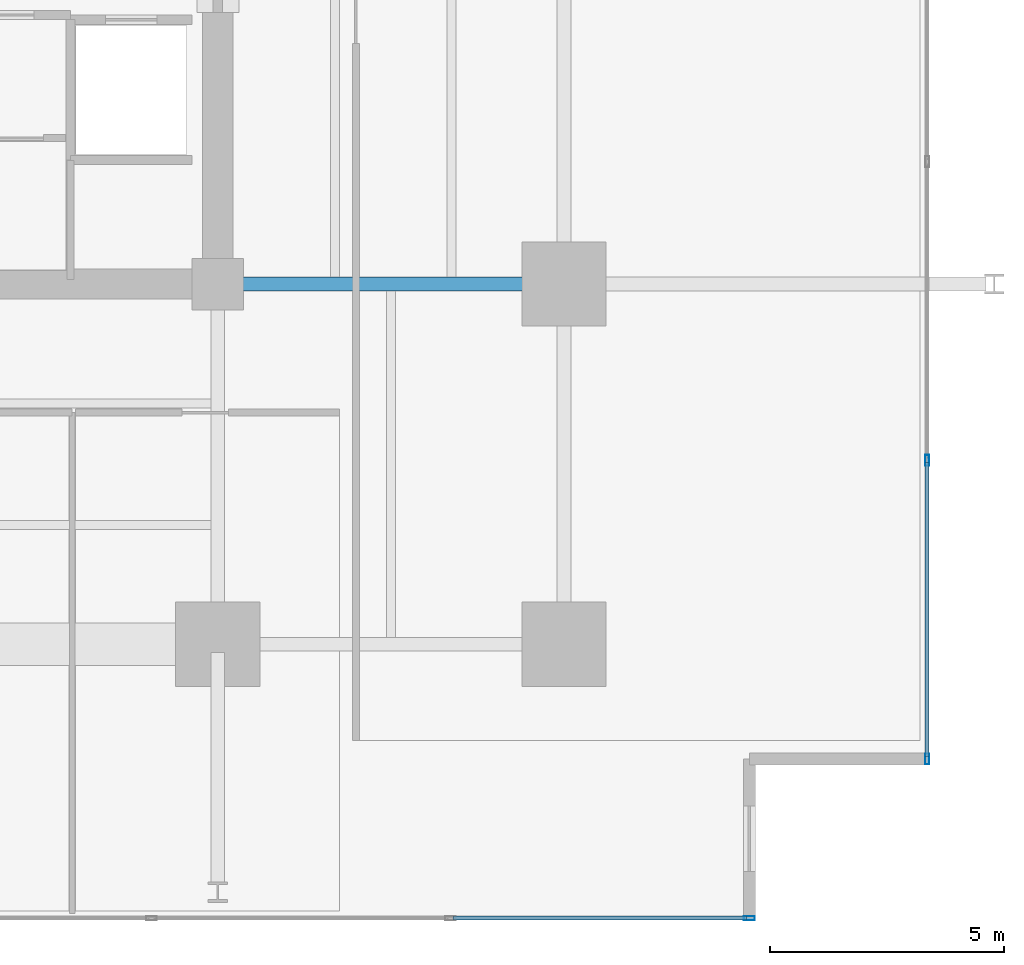
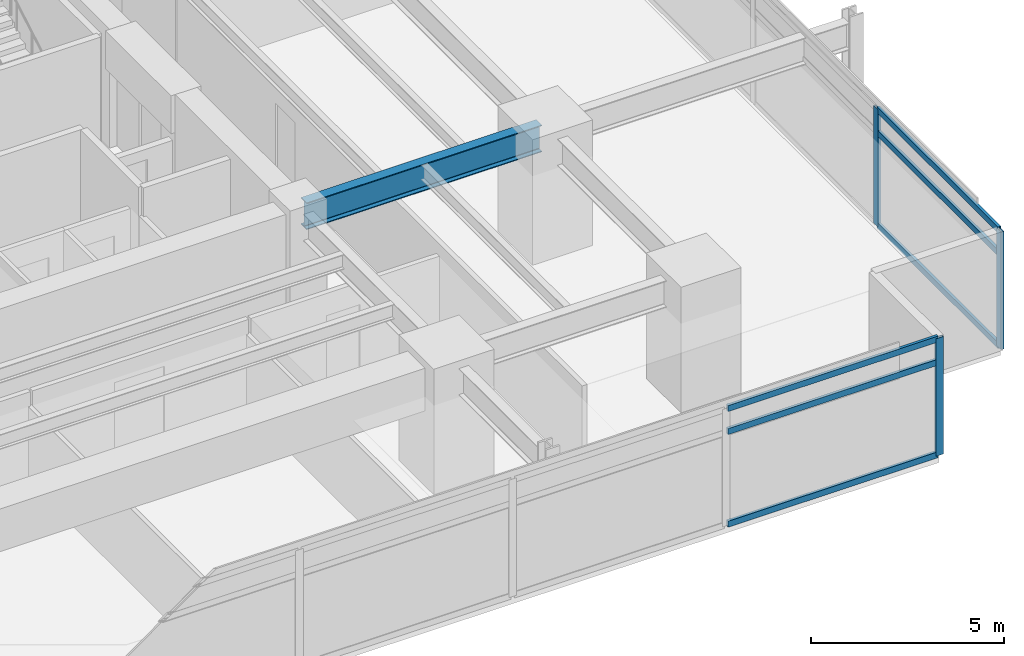
# One storey, part 7 of 20: 9 members, 1 beam, 2 elements without a shape of their own.
"""IFC4 building model written with IfcOpenShell, lengths in metres."""

from ifc_helpers import new_model, si_unit, direction, frame, origin, origin_2d, place, context, subcontext, project, spatial, hollow_rectangle, i_section, extrude, material, material_profile, profile_set, type_object, element, aggregate, save


model = new_model("IFC4")

# Units and contexts
model_context = context("Model", 3, precision=1e-05, world=origin(), true_north=direction((0.0, 1.0)))
body_context = subcontext(model_context, "Body", "Model", "MODEL_VIEW")
ifc_project = project(units=[si_unit("LENGTHUNIT", "METRE"), si_unit("AREAUNIT", "SQUARE_METRE"), si_unit("VOLUMEUNIT", "CUBIC_METRE"), si_unit("PLANEANGLEUNIT", "RADIAN"), si_unit("MASSUNIT", "GRAM", prefix="KILO")], contexts=[model_context])

# Site, building, storey
site_placement = place(None, origin())
site = spatial("IfcSite", under=ifc_project, at=site_placement, CompositionType="ELEMENT")
building_placement = place(site_placement, origin())
building = spatial("IfcBuilding", under=site, at=building_placement, Name="Kovane Verandah Tower", CompositionType="ELEMENT")
storey_placement = place(building_placement, frame((0.0, 0.0, 75.60009765625)))
storey = spatial("IfcBuildingStorey", under=building, at=storey_placement, Name="L17", CompositionType="ELEMENT", Elevation=75.60009765625)

# Beam
ifc_material_1 = material(Name="Steel S355", Category="steel")
ifc_material_profile_1 = material_profile(ifc_material_1, i_section(OverallWidth=0.293701171875, OverallDepth=0.850830078125, WebThickness=0.01611328125, FlangeThickness=0.02685546875, FilletRadius=0.017822265625, at=origin_2d()), Name="UB838x292x226")
ifc_profile_set_1 = profile_set([ifc_material_profile_1], Name="Steel S355")
beam_type = type_object("IfcBeamType", Name="BM-UB838x226", PredefinedType="BEAM", material=ifc_profile_set_1)
beam_placement = place(storey_placement, frame((51.179931640625, 18.5, 3.33447265625), z_axis=(1.0, 0.0, 0.0), x_axis=(0.0, 1.0, 0.0)))
element("IfcBeam", 1, at=beam_placement, inside=storey, type_object=beam_type, Name="L17 Primary Tower Girder G-E1", PredefinedType="BEAM", context=body_context, shape_type="SweptSolid", body=[
    extrude(i_section(OverallWidth=0.293701171875, OverallDepth=0.850830078125, WebThickness=0.01611328125, FlangeThickness=0.02685546875, FilletRadius=0.017822265625, at=origin_2d()), origin(), (0.0, 0.0, 1.0), 7.0400390625),
])

# Curtain wall, member
ifc_material_2 = material(Name="Champagne Anodised Aluminium Frame with Low-E Clear Laminated Glass", Category="aluminium")
curtain_wall_type = type_object("IfcCurtainWallType", Name="CW-SYS-02-LOW", PredefinedType="NOTDEFINED", material=ifc_material_2)
curtain_wall_1_placement = place(storey_placement, origin())
curtain_wall_1 = element("IfcCurtainWall", 2, at=curtain_wall_1_placement, inside=storey, type_object=curtain_wall_type, Name="L17 S Unitised Curtain Wall", PredefinedType="NOTDEFINED")
ifc_material_3 = material(Name="Champagne Anodised Aluminium 6063-T6", Category="aluminium")
ifc_material_profile_2 = material_profile(ifc_material_3, hollow_rectangle(XDim=0.0849609375, YDim=0.22998046875, WallThickness=0.00390625, at=origin_2d()), Name="AL85x230x4")
ifc_profile_set_2 = profile_set([ifc_material_profile_2], Name="Champagne Anodised Aluminium 6063-T6")
member_type_1 = type_object("IfcMemberType", Name="CW-MUL-85x230", PredefinedType="MULLION", material=ifc_profile_set_2)
member_1_placement = place(storey_placement, frame((62.3623046875, 4.9462890625, 0.02001953125), z_axis=(0.0, 0.0, 1.0), x_axis=(0.0, -1.0, 0.0)))
member_1 = element("IfcMember", 3, at=member_1_placement, type_object=member_type_1, Name="L17 S Unitised Curtain Wall Mullion 8", PredefinedType="MULLION", context=body_context, shape_type="SweptSolid", body=[
    extrude(hollow_rectangle(XDim=0.0849609375, YDim=0.22998046875, WallThickness=0.00390625, at=origin_2d()), origin(), (0.0, 0.0, 1.0), 3.719970703125),
])

# Curtain wall, members
curtain_wall_2_placement = place(storey_placement, origin())
curtain_wall_2 = element("IfcCurtainWall", 4, at=curtain_wall_2_placement, inside=storey, type_object=curtain_wall_type, Name="L17 E Unitised Curtain Wall", PredefinedType="NOTDEFINED")
member_2_placement = place(storey_placement, frame((66.162353515625, 8.34619140625, 0.02001953125), z_axis=(0.0, 0.0, 1.0), x_axis=(1.0, 0.0, 0.0)))
member_2 = element("IfcMember", 5, at=member_2_placement, type_object=member_type_1, Name="L17 E Unitised Curtain Wall Mullion 1", PredefinedType="MULLION", context=body_context, shape_type="SweptSolid", body=[
    extrude(hollow_rectangle(XDim=0.0849609375, YDim=0.22998046875, WallThickness=0.00390625, at=origin_2d()), origin(), (0.0, 0.0, 1.0), 3.719970703125),
])
member_3_placement = place(storey_placement, frame((66.162353515625, 14.73095703125, 0.02001953125), z_axis=(0.0, 0.0, 1.0), x_axis=(1.0, 0.0, 0.0)))
member_3 = element("IfcMember", 6, at=member_3_placement, type_object=member_type_1, Name="L17 E Unitised Curtain Wall Mullion 2", PredefinedType="MULLION", context=body_context, shape_type="SweptSolid", body=[
    extrude(hollow_rectangle(XDim=0.0849609375, YDim=0.22998046875, WallThickness=0.00390625, at=origin_2d()), origin(), (0.0, 0.0, 1.0), 3.719970703125),
])

# Member
ifc_material_profile_3 = material_profile(ifc_material_3, hollow_rectangle(XDim=0.0849609375, YDim=0.18994140625, WallThickness=0.00390625, at=origin_2d()), Name="AL85x190x4")
ifc_profile_set_3 = profile_set([ifc_material_profile_3], Name="Champagne Anodised Aluminium 6063-T6")
member_type_2 = type_object("IfcMemberType", Name="CW-TRN-85x190", PredefinedType="USERDEFINED", material=ifc_profile_set_3)
member_4_placement = place(storey_placement, frame((56.023193359375, 4.9462890625, 0.0498046875), z_axis=(1.0, 0.0, 0.0), x_axis=(0.0, 1.0, 0.0)))
member_4 = element("IfcMember", 7, at=member_4_placement, type_object=member_type_2, Name="L17 S Unitised Curtain Wall Transom TB Bay 7", ObjectType="TRANSOM", PredefinedType="USERDEFINED", context=body_context, shape_type="SweptSolid", body=[
    extrude(hollow_rectangle(XDim=0.0849609375, YDim=0.18994140625, WallThickness=0.00390625, at=origin_2d()), origin(), (0.0, 0.0, 1.0), 6.289306640625),
])

member_5_placement = place(storey_placement, frame((56.023193359375, 4.9462890625, 2.97998046875), z_axis=(1.0, 0.0, 0.0), x_axis=(0.0, 1.0, 0.0)))
member_5 = element("IfcMember", 8, at=member_5_placement, type_object=member_type_2, Name="L17 S Unitised Curtain Wall Transom TM Bay 7", ObjectType="TRANSOM", PredefinedType="USERDEFINED", context=body_context, shape_type="SweptSolid", body=[
    extrude(hollow_rectangle(XDim=0.0849609375, YDim=0.18994140625, WallThickness=0.00390625, at=origin_2d()), origin(), (0.0, 0.0, 1.0), 6.289306640625),
])

member_6_placement = place(storey_placement, frame((56.023193359375, 4.9462890625, 3.7099609375), z_axis=(1.0, 0.0, 0.0), x_axis=(0.0, 1.0, 0.0)))
member_6 = element("IfcMember", 9, at=member_6_placement, type_object=member_type_2, Name="L17 S Unitised Curtain Wall Transom TT Bay 7", ObjectType="TRANSOM", PredefinedType="USERDEFINED", context=body_context, shape_type="SweptSolid", body=[
    extrude(hollow_rectangle(XDim=0.0849609375, YDim=0.18994140625, WallThickness=0.00390625, at=origin_2d()), origin(), (0.0, 0.0, 1.0), 6.289306640625),
])

aggregate(curtain_wall_1, [member_1, member_4, member_5, member_6])

member_7_placement = place(storey_placement, frame((66.162353515625, 8.396240234375, 0.0498046875), z_axis=(0.0, 1.0, 0.0), x_axis=(-1.0, 0.0, 0.0)))
member_7 = element("IfcMember", 10, at=member_7_placement, type_object=member_type_2, Name="L17 E Unitised Curtain Wall Transom TB Bay 1", ObjectType="TRANSOM", PredefinedType="USERDEFINED", context=body_context, shape_type="SweptSolid", body=[
    extrude(hollow_rectangle(XDim=0.0849609375, YDim=0.18994140625, WallThickness=0.00390625, at=origin_2d()), origin(), (0.0, 0.0, 1.0), 6.28466796875),
])

member_8_placement = place(storey_placement, frame((66.162353515625, 8.396240234375, 2.97998046875), z_axis=(0.0, 1.0, 0.0), x_axis=(-1.0, 0.0, 0.0)))
member_8 = element("IfcMember", 11, at=member_8_placement, type_object=member_type_2, Name="L17 E Unitised Curtain Wall Transom TM Bay 1", ObjectType="TRANSOM", PredefinedType="USERDEFINED", context=body_context, shape_type="SweptSolid", body=[
    extrude(hollow_rectangle(XDim=0.0849609375, YDim=0.18994140625, WallThickness=0.00390625, at=origin_2d()), origin(), (0.0, 0.0, 1.0), 6.28466796875),
])

member_9_placement = place(storey_placement, frame((66.162353515625, 8.396240234375, 3.7099609375), z_axis=(0.0, 1.0, 0.0), x_axis=(-1.0, 0.0, 0.0)))
member_9 = element("IfcMember", 12, at=member_9_placement, type_object=member_type_2, Name="L17 E Unitised Curtain Wall Transom TT Bay 1", ObjectType="TRANSOM", PredefinedType="USERDEFINED", context=body_context, shape_type="SweptSolid", body=[
    extrude(hollow_rectangle(XDim=0.0849609375, YDim=0.18994140625, WallThickness=0.00390625, at=origin_2d()), origin(), (0.0, 0.0, 1.0), 6.28466796875),
])

aggregate(curtain_wall_2, [member_2, member_3, member_7, member_8, member_9])

save(model, "model.ifc")
